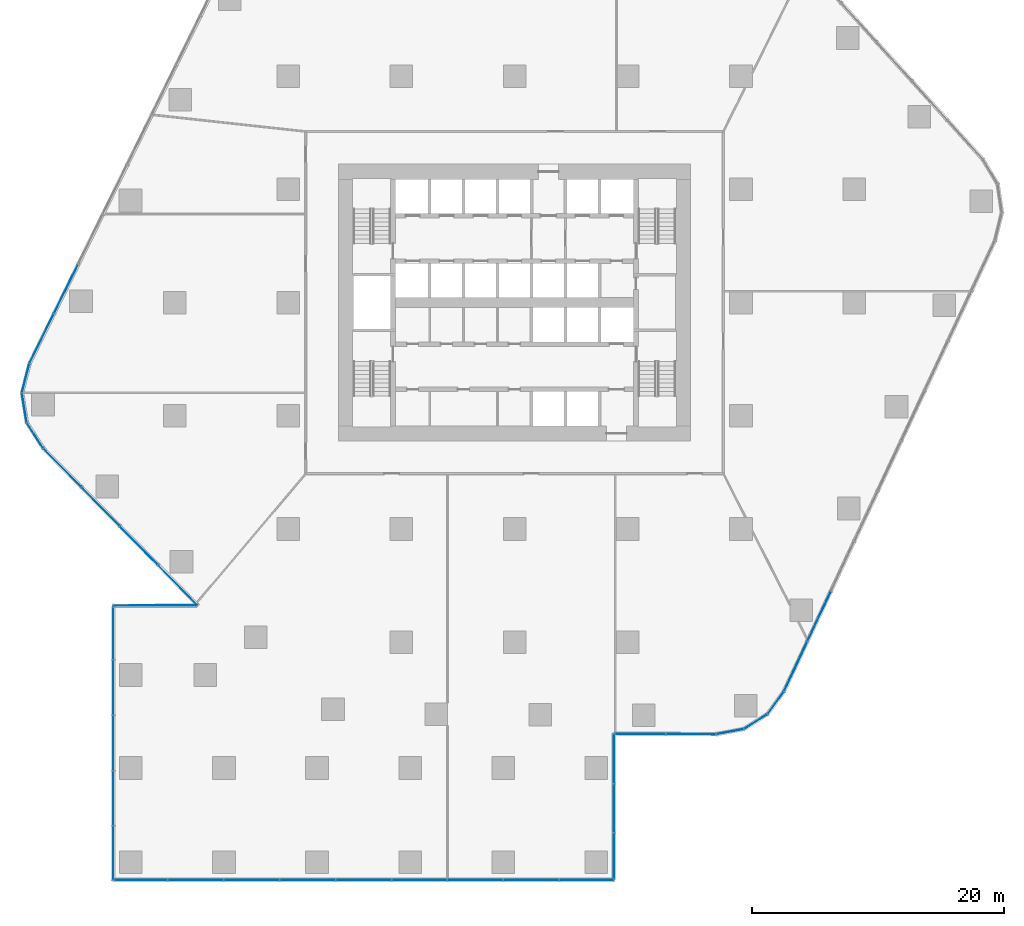
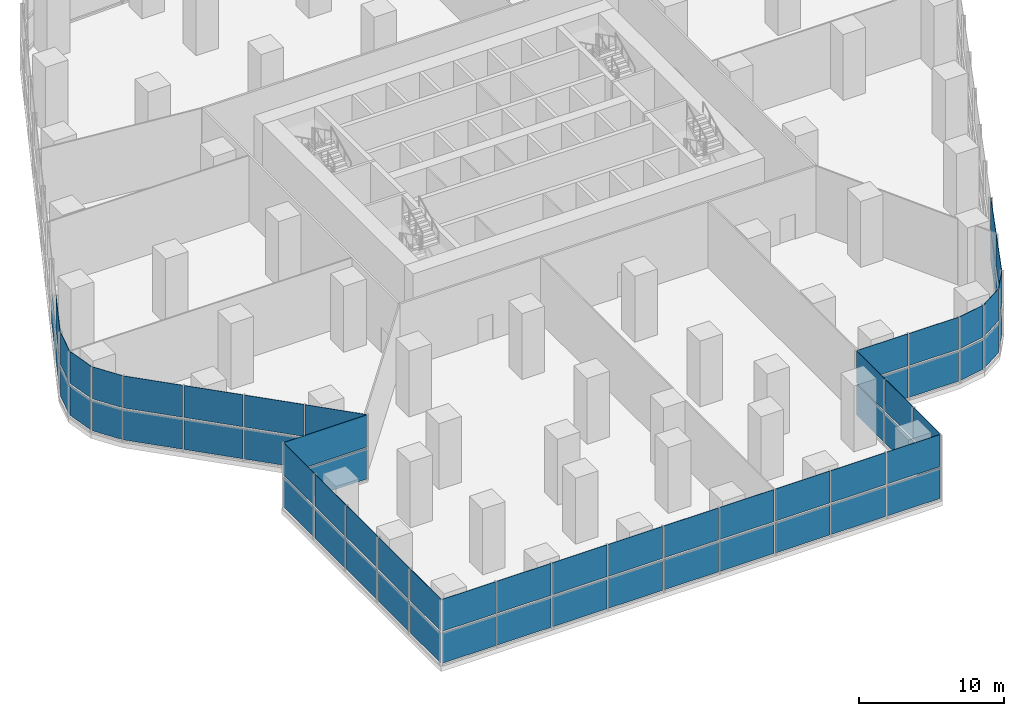
# One storey, part 8 of 15: 67 plates, 10 elements without a shape of their own.
"""IFC4 building model written with IfcOpenShell, lengths in metres."""

from ifc_helpers import new_model, si_unit, direction, frame, origin, origin_2d, place, context, subcontext, project, spatial, rectangle, extrude, material, layer, layer_set, type_object, element, aggregate, save


model = new_model("IFC4")

# Units and contexts
model_context = context("Model", 3, precision=1e-05, world=origin(), true_north=direction((0.0, 1.0)))
body_context = subcontext(model_context, "Body", "Model", "MODEL_VIEW")
ifc_project = project(units=[si_unit("LENGTHUNIT", "METRE"), si_unit("AREAUNIT", "SQUARE_METRE"), si_unit("VOLUMEUNIT", "CUBIC_METRE"), si_unit("PLANEANGLEUNIT", "RADIAN"), si_unit("MASSUNIT", "GRAM", prefix="KILO")], contexts=[model_context])

# Site, building, storey
site_placement = place(None, origin())
site = spatial("IfcSite", under=ifc_project, at=site_placement, CompositionType="ELEMENT")
building_placement = place(site_placement, origin())
building = spatial("IfcBuilding", under=site, at=building_placement, Name="Dongbaek Canopy Tower", CompositionType="ELEMENT")
storey_placement = place(building_placement, frame((0.0, 0.0, 27.0)))
storey = spatial("IfcBuildingStorey", under=building, at=storey_placement, Name="L03", CompositionType="ELEMENT", Elevation=27.0)

# Curtain wall, plates
ifc_material_1 = material(Name="Aluminium 6063-T6 pale anodised", Category="aluminium")
ifc_layer_1 = layer(ifc_material_1, 0.300048828125)
ifc_layer_set_1 = layer_set([ifc_layer_1], Name="CW-2 podium hall curtain wall")
curtain_wall_type = type_object("IfcCurtainWallType", Name="CW-2 podium hall curtain wall", PredefinedType="NOTDEFINED", material=ifc_layer_set_1)
curtain_wall_1_placement = place(storey_placement, origin())
curtain_wall_1 = element("IfcCurtainWall", 1, at=curtain_wall_1_placement, inside=storey, type_object=curtain_wall_type, Name="CW-2 curtain wall K0.1", PredefinedType="NOTDEFINED")
ifc_material_2 = material(Name="Clear laminated glass", Category="glass")
ifc_layer_2 = layer(ifc_material_2, 0.035888671875)
ifc_layer_set_2 = layer_set([ifc_layer_2], Name="CW-2 glazed panel 36")
plate_type = type_object("IfcPlateType", Name="CW-2 glazed panel 36", PredefinedType="CURTAIN_PANEL", material=ifc_layer_set_2)
plate_1_placement = place(storey_placement, frame((17.1337890625, -34.110595703125, 0.16015625), z_axis=(0.0, 0.0, 1.0), x_axis=(0.98292174659, 0.184024020391, 0.0)))
plate_1 = element("IfcPlate", 2, at=plate_1_placement, type_object=plate_type, Name="CW-2 panel K0.1.1.1", PredefinedType="CURTAIN_PANEL", context=body_context, shape_type="SweptSolid", body=[
    extrude(rectangle(XDim=2.128173828125, YDim=0.035888671875, at=origin_2d()), origin(), (0.0, 0.0, 1.0), 2.534912109375),
])
plate_2_placement = place(storey_placement, frame((17.1337890625, -34.110595703125, 2.85498046875), z_axis=(0.0, 0.0, 1.0), x_axis=(0.98292174659, 0.184024020391, 0.0)))
plate_2 = element("IfcPlate", 3, at=plate_2_placement, type_object=plate_type, Name="CW-2 panel K0.1.1.2", PredefinedType="CURTAIN_PANEL", context=body_context, shape_type="SweptSolid", body=[
    extrude(rectangle(XDim=2.128173828125, YDim=0.035888671875, at=origin_2d()), origin(), (0.0, 0.0, 1.0), 2.695068359375),
])
plate_3_placement = place(storey_placement, frame((19.169921875, -33.31103515625, 0.16015625), z_axis=(0.0, 0.0, 1.0), x_axis=(0.845033442045, 0.534713457681, 0.0)))
plate_3 = element("IfcPlate", 4, at=plate_3_placement, type_object=plate_type, Name="CW-2 panel K0.1.2.1", PredefinedType="CURTAIN_PANEL", context=body_context, shape_type="SweptSolid", body=[
    extrude(rectangle(XDim=2.11865234375, YDim=0.035888671875, at=origin_2d()), origin(), (0.0, 0.0, 1.0), 2.534912109375),
])
plate_4_placement = place(storey_placement, frame((19.169921875, -33.31103515625, 2.85498046875), z_axis=(0.0, 0.0, 1.0), x_axis=(0.845033442045, 0.534713457681, 0.0)))
plate_4 = element("IfcPlate", 5, at=plate_4_placement, type_object=plate_type, Name="CW-2 panel K0.1.2.2", PredefinedType="CURTAIN_PANEL", context=body_context, shape_type="SweptSolid", body=[
    extrude(rectangle(XDim=2.11865234375, YDim=0.035888671875, at=origin_2d()), origin(), (0.0, 0.0, 1.0), 2.695068359375),
])
plate_5_placement = place(storey_placement, frame((20.764404296875, -31.813232421875, 0.16015625), z_axis=(0.0, 0.0, 1.0), x_axis=(0.587153663418, 0.809475494092, 0.0)))
plate_5 = element("IfcPlate", 6, at=plate_5_placement, type_object=plate_type, Name="CW-2 panel K0.1.3.1", PredefinedType="CURTAIN_PANEL", context=body_context, shape_type="SweptSolid", body=[
    extrude(rectangle(XDim=2.128173828125, YDim=0.035888671875, at=origin_2d()), origin(), (0.0, 0.0, 1.0), 2.534912109375),
])
plate_6_placement = place(storey_placement, frame((20.764404296875, -31.813232421875, 2.85498046875), z_axis=(0.0, 0.0, 1.0), x_axis=(0.587153663418, 0.809475494092, 0.0)))
plate_6 = element("IfcPlate", 7, at=plate_6_placement, type_object=plate_type, Name="CW-2 panel K0.1.3.2", PredefinedType="CURTAIN_PANEL", context=body_context, shape_type="SweptSolid", body=[
    extrude(rectangle(XDim=2.128173828125, YDim=0.035888671875, at=origin_2d()), origin(), (0.0, 0.0, 1.0), 2.695068359375),
])
aggregate(curtain_wall_1, [plate_1, plate_2, plate_3, plate_4, plate_5, plate_6])

curtain_wall_2_placement = place(storey_placement, origin())
curtain_wall_2 = element("IfcCurtainWall", 8, at=curtain_wall_2_placement, inside=storey, type_object=curtain_wall_type, Name="CW-2 curtain wall F0.1", PredefinedType="NOTDEFINED")
plate_7_placement = place(storey_placement, frame((22.350341796875, -28.922607421875, 0.16015625), z_axis=(0.0, 0.0, 1.0), x_axis=(0.424122871275, 0.905604654395, 0.0)))
plate_7 = element("IfcPlate", 9, at=plate_7_placement, type_object=plate_type, Name="CW-2 panel F0.1.1.1", PredefinedType="CURTAIN_PANEL", context=body_context, shape_type="SweptSolid", body=[
    extrude(rectangle(XDim=4.28466796875, YDim=0.035888671875, at=origin_2d()), origin(), (0.0, 0.0, 1.0), 2.534912109375),
])
plate_8_placement = place(storey_placement, frame((22.350341796875, -28.922607421875, 2.85498046875), z_axis=(0.0, 0.0, 1.0), x_axis=(0.424122871275, 0.905604654395, 0.0)))
plate_8 = element("IfcPlate", 10, at=plate_8_placement, type_object=plate_type, Name="CW-2 panel F0.1.1.2", PredefinedType="CURTAIN_PANEL", context=body_context, shape_type="SweptSolid", body=[
    extrude(rectangle(XDim=4.28466796875, YDim=0.035888671875, at=origin_2d()), origin(), (0.0, 0.0, 1.0), 2.695068359375),
])
plate_9_placement = place(storey_placement, frame((24.213623046875, -24.944091796875, 0.16015625), z_axis=(0.0, 0.0, 1.0), x_axis=(0.424122871275, 0.905604654395, 0.0)))
plate_9 = element("IfcPlate", 11, at=plate_9_placement, type_object=plate_type, Name="CW-2 panel F0.1.2.1", PredefinedType="CURTAIN_PANEL", context=body_context, shape_type="SweptSolid", body=[
    extrude(rectangle(XDim=4.2939453125, YDim=0.035888671875, at=origin_2d()), origin(), (0.0, 0.0, 1.0), 2.534912109375),
])
plate_10_placement = place(storey_placement, frame((24.213623046875, -24.944091796875, 2.85498046875), z_axis=(0.0, 0.0, 1.0), x_axis=(0.424122871275, 0.905604654395, 0.0)))
plate_10 = element("IfcPlate", 12, at=plate_10_placement, type_object=plate_type, Name="CW-2 panel F0.1.2.2", PredefinedType="CURTAIN_PANEL", context=body_context, shape_type="SweptSolid", body=[
    extrude(rectangle(XDim=4.2939453125, YDim=0.035888671875, at=origin_2d()), origin(), (0.0, 0.0, 1.0), 2.695068359375),
])
aggregate(curtain_wall_2, [plate_7, plate_8, plate_9, plate_10])

curtain_wall_3_placement = place(storey_placement, origin())
curtain_wall_3 = element("IfcCurtainWall", 13, at=curtain_wall_3_placement, inside=storey, type_object=curtain_wall_type, Name="CW-2 curtain wall F3.1", PredefinedType="NOTDEFINED")
plate_11_placement = place(storey_placement, frame((-35.65185546875, 1.084716796875, 0.16015625), z_axis=(0.0, 0.0, 1.0), x_axis=(-0.441341613378, -0.897339166815, 0.0)))
plate_11 = element("IfcPlate", 14, at=plate_11_placement, type_object=plate_type, Name="CW-2 panel F3.1.8.1", PredefinedType="CURTAIN_PANEL", context=body_context, shape_type="SweptSolid", body=[
    extrude(rectangle(XDim=4.29541015625, YDim=0.035888671875, at=origin_2d()), origin(), (0.0, 0.0, 1.0), 2.534912109375),
])
plate_12_placement = place(storey_placement, frame((-37.59130859375, -2.8583984375, 0.16015625), z_axis=(0.0, 0.0, 1.0), x_axis=(-0.441341613378, -0.897339166815, 0.0)))
plate_12 = element("IfcPlate", 15, at=plate_12_placement, type_object=plate_type, Name="CW-2 panel F3.1.9.1", PredefinedType="CURTAIN_PANEL", context=body_context, shape_type="SweptSolid", body=[
    extrude(rectangle(XDim=4.28515625, YDim=0.035888671875, at=origin_2d()), origin(), (0.0, 0.0, 1.0), 2.534912109375),
])
plate_13_placement = place(storey_placement, frame((-37.59130859375, -2.8583984375, 2.85498046875), z_axis=(0.0, 0.0, 1.0), x_axis=(-0.441341613378, -0.897339166815, 0.0)))
plate_13 = element("IfcPlate", 16, at=plate_13_placement, type_object=plate_type, Name="CW-2 panel F3.1.9.2", PredefinedType="CURTAIN_PANEL", context=body_context, shape_type="SweptSolid", body=[
    extrude(rectangle(XDim=4.28515625, YDim=0.035888671875, at=origin_2d()), origin(), (0.0, 0.0, 1.0), 2.695068359375),
])
aggregate(curtain_wall_3, [plate_11, plate_12, plate_13])

curtain_wall_4_placement = place(storey_placement, origin())
curtain_wall_4 = element("IfcCurtainWall", 17, at=curtain_wall_4_placement, inside=storey, type_object=curtain_wall_type, Name="CW-2 curtain wall K4.1", PredefinedType="NOTDEFINED")
plate_14_placement = place(storey_placement, frame((-38.86083984375, -6.000244140625, 0.16015625), z_axis=(0.0, 0.0, 1.0), x_axis=(-0.248641038295, -0.968595702074, 0.0)))
plate_14 = element("IfcPlate", 18, at=plate_14_placement, type_object=plate_type, Name="CW-2 panel K4.1.1.1", PredefinedType="CURTAIN_PANEL", context=body_context, shape_type="SweptSolid", body=[
    extrude(rectangle(XDim=2.317138671875, YDim=0.035888671875, at=origin_2d()), origin(), (0.0, 0.0, 1.0), 2.534912109375),
])
plate_15_placement = place(storey_placement, frame((-38.86083984375, -6.000244140625, 2.85498046875), z_axis=(0.0, 0.0, 1.0), x_axis=(-0.248641038295, -0.968595702074, 0.0)))
plate_15 = element("IfcPlate", 19, at=plate_15_placement, type_object=plate_type, Name="CW-2 panel K4.1.1.2", PredefinedType="CURTAIN_PANEL", context=body_context, shape_type="SweptSolid", body=[
    extrude(rectangle(XDim=2.317138671875, YDim=0.035888671875, at=origin_2d()), origin(), (0.0, 0.0, 1.0), 2.695068359375),
])
plate_16_placement = place(storey_placement, frame((-38.969482421875, -8.36279296875, 0.16015625), z_axis=(0.0, 0.0, 1.0), x_axis=(0.159670565069, -0.987170355435, 0.0)))
plate_16 = element("IfcPlate", 20, at=plate_16_placement, type_object=plate_type, Name="CW-2 panel K4.1.2.1", PredefinedType="CURTAIN_PANEL", context=body_context, shape_type="SweptSolid", body=[
    extrude(rectangle(XDim=2.306640625, YDim=0.035888671875, at=origin_2d()), origin(), (0.0, 0.0, 1.0), 2.534912109375),
])
plate_17_placement = place(storey_placement, frame((-38.969482421875, -8.36279296875, 2.85498046875), z_axis=(0.0, 0.0, 1.0), x_axis=(0.159670565069, -0.987170355435, 0.0)))
plate_17 = element("IfcPlate", 21, at=plate_17_placement, type_object=plate_type, Name="CW-2 panel K4.1.2.2", PredefinedType="CURTAIN_PANEL", context=body_context, shape_type="SweptSolid", body=[
    extrude(rectangle(XDim=2.306640625, YDim=0.035888671875, at=origin_2d()), origin(), (0.0, 0.0, 1.0), 2.695068359375),
])
plate_18_placement = place(storey_placement, frame((-38.12158203125, -10.570556640625, 0.16015625), z_axis=(0.0, 0.0, 1.0), x_axis=(0.541305923405, -0.840825723493, 0.0)))
plate_18 = element("IfcPlate", 22, at=plate_18_placement, type_object=plate_type, Name="CW-2 panel K4.1.3.1", PredefinedType="CURTAIN_PANEL", context=body_context, shape_type="SweptSolid", body=[
    extrude(rectangle(XDim=2.317138671875, YDim=0.035888671875, at=origin_2d()), origin(), (0.0, 0.0, 1.0), 2.534912109375),
])
plate_19_placement = place(storey_placement, frame((-38.12158203125, -10.570556640625, 2.85498046875), z_axis=(0.0, 0.0, 1.0), x_axis=(0.541305923405, -0.840825723493, 0.0)))
plate_19 = element("IfcPlate", 23, at=plate_19_placement, type_object=plate_type, Name="CW-2 panel K4.1.3.2", PredefinedType="CURTAIN_PANEL", context=body_context, shape_type="SweptSolid", body=[
    extrude(rectangle(XDim=2.317138671875, YDim=0.035888671875, at=origin_2d()), origin(), (0.0, 0.0, 1.0), 2.695068359375),
])
aggregate(curtain_wall_4, [plate_14, plate_15, plate_16, plate_17, plate_18, plate_19])

curtain_wall_5_placement = place(storey_placement, origin())
curtain_wall_5 = element("IfcCurtainWall", 24, at=curtain_wall_5_placement, inside=storey, type_object=curtain_wall_type, Name="CW-2 curtain wall F4.1", PredefinedType="NOTDEFINED")
plate_20_placement = place(storey_placement, frame((-35.94970703125, -13.12841796875, 0.16015625), z_axis=(0.0, 0.0, 1.0), x_axis=(0.70171827376, -0.71245453488, 0.0)))
plate_20 = element("IfcPlate", 25, at=plate_20_placement, type_object=plate_type, Name="CW-2 panel F4.1.1.1", PredefinedType="CURTAIN_PANEL", context=body_context, shape_type="SweptSolid", body=[
    extrude(rectangle(XDim=4.21875, YDim=0.035888671875, at=origin_2d()), origin(), (0.0, 0.0, 1.0), 2.534912109375),
])
plate_21_placement = place(storey_placement, frame((-35.94970703125, -13.12841796875, 2.85498046875), z_axis=(0.0, 0.0, 1.0), x_axis=(0.70171827376, -0.71245453488, 0.0)))
plate_21 = element("IfcPlate", 26, at=plate_21_placement, type_object=plate_type, Name="CW-2 panel F4.1.1.2", PredefinedType="CURTAIN_PANEL", context=body_context, shape_type="SweptSolid", body=[
    extrude(rectangle(XDim=4.21875, YDim=0.035888671875, at=origin_2d()), origin(), (0.0, 0.0, 1.0), 2.695068359375),
])
plate_22_placement = place(storey_placement, frame((-32.91259765625, -16.2119140625, 0.16015625), z_axis=(0.0, 0.0, 1.0), x_axis=(0.70171827376, -0.71245453488, 0.0)))
plate_22 = element("IfcPlate", 27, at=plate_22_placement, type_object=plate_type, Name="CW-2 panel F4.1.2.1", PredefinedType="CURTAIN_PANEL", context=body_context, shape_type="SweptSolid", body=[
    extrude(rectangle(XDim=4.229248046875, YDim=0.035888671875, at=origin_2d()), origin(), (0.0, 0.0, 1.0), 2.534912109375),
])
plate_23_placement = place(storey_placement, frame((-32.91259765625, -16.2119140625, 2.85498046875), z_axis=(0.0, 0.0, 1.0), x_axis=(0.70171827376, -0.71245453488, 0.0)))
plate_23 = element("IfcPlate", 28, at=plate_23_placement, type_object=plate_type, Name="CW-2 panel F4.1.2.2", PredefinedType="CURTAIN_PANEL", context=body_context, shape_type="SweptSolid", body=[
    extrude(rectangle(XDim=4.229248046875, YDim=0.035888671875, at=origin_2d()), origin(), (0.0, 0.0, 1.0), 2.695068359375),
])
plate_24_placement = place(storey_placement, frame((-29.871826171875, -19.299072265625, 0.16015625), z_axis=(0.0, 0.0, 1.0), x_axis=(0.70171827376, -0.71245453488, 0.0)))
plate_24 = element("IfcPlate", 29, at=plate_24_placement, type_object=plate_type, Name="CW-2 panel F4.1.3.1", PredefinedType="CURTAIN_PANEL", context=body_context, shape_type="SweptSolid", body=[
    extrude(rectangle(XDim=4.229248046875, YDim=0.035888671875, at=origin_2d()), origin(), (0.0, 0.0, 1.0), 2.534912109375),
])
plate_25_placement = place(storey_placement, frame((-29.871826171875, -19.299072265625, 2.85498046875), z_axis=(0.0, 0.0, 1.0), x_axis=(0.70171827376, -0.71245453488, 0.0)))
plate_25 = element("IfcPlate", 30, at=plate_25_placement, type_object=plate_type, Name="CW-2 panel F4.1.3.2", PredefinedType="CURTAIN_PANEL", context=body_context, shape_type="SweptSolid", body=[
    extrude(rectangle(XDim=4.229248046875, YDim=0.035888671875, at=origin_2d()), origin(), (0.0, 0.0, 1.0), 2.695068359375),
])
plate_26_placement = place(storey_placement, frame((-26.774658203125, -22.4599609375, 0.16015625), z_axis=(0.0, 0.0, 1.0), x_axis=(0.698119681165, -0.71598108269, 0.0)))
plate_26 = element("IfcPlate", 31, at=plate_26_placement, type_object=plate_type, Name="CW-2 panel F4.1.4.1", PredefinedType="CURTAIN_PANEL", context=body_context, shape_type="SweptSolid", body=[
    extrude(rectangle(XDim=4.413818359375, YDim=0.035888671875, at=origin_2d()), origin(), (0.0, 0.0, 1.0), 2.534912109375),
])
plate_27_placement = place(storey_placement, frame((-26.774658203125, -22.4599609375, 2.85498046875), z_axis=(0.0, 0.0, 1.0), x_axis=(0.698119681165, -0.71598108269, 0.0)))
plate_27 = element("IfcPlate", 32, at=plate_27_placement, type_object=plate_type, Name="CW-2 panel F4.1.4.2", PredefinedType="CURTAIN_PANEL", context=body_context, shape_type="SweptSolid", body=[
    extrude(rectangle(XDim=4.413818359375, YDim=0.035888671875, at=origin_2d()), origin(), (0.0, 0.0, 1.0), 2.695068359375),
])
aggregate(curtain_wall_5, [plate_20, plate_21, plate_22, plate_23, plate_24, plate_25, plate_26, plate_27])

curtain_wall_6_placement = place(storey_placement, origin())
curtain_wall_6 = element("IfcCurtainWall", 33, at=curtain_wall_6_placement, inside=storey, type_object=curtain_wall_type, Name="CW-2 curtain wall F5.1", PredefinedType="NOTDEFINED")
plate_28_placement = place(storey_placement, frame((-28.548828125, -24.088623046875, 0.16015625), z_axis=(0.0, 0.0, 1.0), x_axis=(-0.999994232996, -0.003396170688, 0.0)))
plate_28 = element("IfcPlate", 34, at=plate_28_placement, type_object=plate_type, Name="CW-2 panel F5.1.1.1", PredefinedType="CURTAIN_PANEL", context=body_context, shape_type="SweptSolid", body=[
    extrude(rectangle(XDim=6.598388671875, YDim=0.035888671875, at=origin_2d()), origin(), (0.0, 0.0, 1.0), 2.534912109375),
])
plate_29_placement = place(storey_placement, frame((-28.548828125, -24.088623046875, 2.85498046875), z_axis=(0.0, 0.0, 1.0), x_axis=(-0.999994232996, -0.003396170688, 0.0)))
plate_29 = element("IfcPlate", 35, at=plate_29_placement, type_object=plate_type, Name="CW-2 panel F5.1.1.2", PredefinedType="CURTAIN_PANEL", context=body_context, shape_type="SweptSolid", body=[
    extrude(rectangle(XDim=6.598388671875, YDim=0.035888671875, at=origin_2d()), origin(), (0.0, 0.0, 1.0), 2.695068359375),
])
aggregate(curtain_wall_6, [plate_28, plate_29])

curtain_wall_7_placement = place(storey_placement, origin())
curtain_wall_7 = element("IfcCurtainWall", 36, at=curtain_wall_7_placement, inside=storey, type_object=curtain_wall_type, Name="CW-2 curtain wall F6.1", PredefinedType="NOTDEFINED")
plate_30_placement = place(storey_placement, frame((-31.89990234375, -26.25, 0.16015625), z_axis=(0.0, 0.0, 1.0), x_axis=(0.0, -1.0, 0.0)))
plate_30 = element("IfcPlate", 37, at=plate_30_placement, type_object=plate_type, Name="CW-2 panel F6.1.1.1", PredefinedType="CURTAIN_PANEL", context=body_context, shape_type="SweptSolid", body=[
    extrude(rectangle(XDim=4.196044921875, YDim=0.035888671875, at=origin_2d()), origin(), (0.0, 0.0, 1.0), 2.534912109375),
])
plate_31_placement = place(storey_placement, frame((-31.89990234375, -26.25, 2.85498046875), z_axis=(0.0, 0.0, 1.0), x_axis=(0.0, -1.0, 0.0)))
plate_31 = element("IfcPlate", 38, at=plate_31_placement, type_object=plate_type, Name="CW-2 panel F6.1.1.2", PredefinedType="CURTAIN_PANEL", context=body_context, shape_type="SweptSolid", body=[
    extrude(rectangle(XDim=4.196044921875, YDim=0.035888671875, at=origin_2d()), origin(), (0.0, 0.0, 1.0), 2.695068359375),
])
plate_32_placement = place(storey_placement, frame((-31.89990234375, -30.60009765625, 0.16015625), z_axis=(0.0, 0.0, 1.0), x_axis=(0.0, -1.0, 0.0)))
plate_32 = element("IfcPlate", 39, at=plate_32_placement, type_object=plate_type, Name="CW-2 panel F6.1.2.1", PredefinedType="CURTAIN_PANEL", context=body_context, shape_type="SweptSolid", body=[
    extrude(rectangle(XDim=4.2958984375, YDim=0.035888671875, at=origin_2d()), origin(), (0.0, 0.0, 1.0), 2.534912109375),
])
plate_33_placement = place(storey_placement, frame((-31.89990234375, -30.60009765625, 2.85498046875), z_axis=(0.0, 0.0, 1.0), x_axis=(0.0, -1.0, 0.0)))
plate_33 = element("IfcPlate", 40, at=plate_33_placement, type_object=plate_type, Name="CW-2 panel F6.1.2.2", PredefinedType="CURTAIN_PANEL", context=body_context, shape_type="SweptSolid", body=[
    extrude(rectangle(XDim=4.2958984375, YDim=0.035888671875, at=origin_2d()), origin(), (0.0, 0.0, 1.0), 2.695068359375),
])
plate_34_placement = place(storey_placement, frame((-31.89990234375, -35.0, 0.16015625), z_axis=(0.0, 0.0, 1.0), x_axis=(0.0, -1.0, 0.0)))
plate_34 = element("IfcPlate", 41, at=plate_34_placement, type_object=plate_type, Name="CW-2 panel F6.1.3.1", PredefinedType="CURTAIN_PANEL", context=body_context, shape_type="SweptSolid", body=[
    extrude(rectangle(XDim=4.2958984375, YDim=0.035888671875, at=origin_2d()), origin(), (0.0, 0.0, 1.0), 2.534912109375),
])
plate_35_placement = place(storey_placement, frame((-31.89990234375, -35.0, 2.85498046875), z_axis=(0.0, 0.0, 1.0), x_axis=(0.0, -1.0, 0.0)))
plate_35 = element("IfcPlate", 42, at=plate_35_placement, type_object=plate_type, Name="CW-2 panel F6.1.3.2", PredefinedType="CURTAIN_PANEL", context=body_context, shape_type="SweptSolid", body=[
    extrude(rectangle(XDim=4.2958984375, YDim=0.035888671875, at=origin_2d()), origin(), (0.0, 0.0, 1.0), 2.695068359375),
])
plate_36_placement = place(storey_placement, frame((-31.89990234375, -39.39990234375, 0.16015625), z_axis=(0.0, 0.0, 1.0), x_axis=(0.0, -1.0, 0.0)))
plate_36 = element("IfcPlate", 43, at=plate_36_placement, type_object=plate_type, Name="CW-2 panel F6.1.4.1", PredefinedType="CURTAIN_PANEL", context=body_context, shape_type="SweptSolid", body=[
    extrude(rectangle(XDim=4.2958984375, YDim=0.035888671875, at=origin_2d()), origin(), (0.0, 0.0, 1.0), 2.534912109375),
])
plate_37_placement = place(storey_placement, frame((-31.89990234375, -39.39990234375, 2.85498046875), z_axis=(0.0, 0.0, 1.0), x_axis=(0.0, -1.0, 0.0)))
plate_37 = element("IfcPlate", 44, at=plate_37_placement, type_object=plate_type, Name="CW-2 panel F6.1.4.2", PredefinedType="CURTAIN_PANEL", context=body_context, shape_type="SweptSolid", body=[
    extrude(rectangle(XDim=4.2958984375, YDim=0.035888671875, at=origin_2d()), origin(), (0.0, 0.0, 1.0), 2.695068359375),
])
plate_38_placement = place(storey_placement, frame((-31.89990234375, -43.75, 0.16015625), z_axis=(0.0, 0.0, 1.0), x_axis=(0.0, -1.0, 0.0)))
plate_38 = element("IfcPlate", 45, at=plate_38_placement, type_object=plate_type, Name="CW-2 panel F6.1.5.1", PredefinedType="CURTAIN_PANEL", context=body_context, shape_type="SweptSolid", body=[
    extrude(rectangle(XDim=4.196044921875, YDim=0.035888671875, at=origin_2d()), origin(), (0.0, 0.0, 1.0), 2.534912109375),
])
plate_39_placement = place(storey_placement, frame((-31.89990234375, -43.75, 2.85498046875), z_axis=(0.0, 0.0, 1.0), x_axis=(0.0, -1.0, 0.0)))
plate_39 = element("IfcPlate", 46, at=plate_39_placement, type_object=plate_type, Name="CW-2 panel F6.1.5.2", PredefinedType="CURTAIN_PANEL", context=body_context, shape_type="SweptSolid", body=[
    extrude(rectangle(XDim=4.196044921875, YDim=0.035888671875, at=origin_2d()), origin(), (0.0, 0.0, 1.0), 2.695068359375),
])
aggregate(curtain_wall_7, [plate_30, plate_31, plate_32, plate_33, plate_34, plate_35, plate_36, plate_37, plate_38, plate_39])

curtain_wall_8_placement = place(storey_placement, origin())
curtain_wall_8 = element("IfcCurtainWall", 47, at=curtain_wall_8_placement, inside=storey, type_object=curtain_wall_type, Name="CW-2 curtain wall F7.1", PredefinedType="NOTDEFINED")
plate_40_placement = place(storey_placement, frame((-29.727783203125, -45.89990234375, 0.16015625), z_axis=(0.0, 0.0, 1.0), x_axis=(1.0, 0.0, 0.0)))
plate_40 = element("IfcPlate", 48, at=plate_40_placement, type_object=plate_type, Name="CW-2 panel F7.1.1.1", PredefinedType="CURTAIN_PANEL", context=body_context, shape_type="SweptSolid", body=[
    extrude(rectangle(XDim=4.240478515625, YDim=0.035888671875, at=origin_2d()), origin(), (0.0, 0.0, 1.0), 2.534912109375),
])
plate_41_placement = place(storey_placement, frame((-29.727783203125, -45.89990234375, 2.85498046875), z_axis=(0.0, 0.0, 1.0), x_axis=(1.0, 0.0, 0.0)))
plate_41 = element("IfcPlate", 49, at=plate_41_placement, type_object=plate_type, Name="CW-2 panel F7.1.1.2", PredefinedType="CURTAIN_PANEL", context=body_context, shape_type="SweptSolid", body=[
    extrude(rectangle(XDim=4.240478515625, YDim=0.035888671875, at=origin_2d()), origin(), (0.0, 0.0, 1.0), 2.695068359375),
])
plate_42_placement = place(storey_placement, frame((-25.333251953125, -45.89990234375, 0.16015625), z_axis=(0.0, 0.0, 1.0), x_axis=(1.0, 0.0, 0.0)))
plate_42 = element("IfcPlate", 50, at=plate_42_placement, type_object=plate_type, Name="CW-2 panel F7.1.2.1", PredefinedType="CURTAIN_PANEL", context=body_context, shape_type="SweptSolid", body=[
    extrude(rectangle(XDim=4.34033203125, YDim=0.035888671875, at=origin_2d()), origin(), (0.0, 0.0, 1.0), 2.534912109375),
])
plate_43_placement = place(storey_placement, frame((-25.333251953125, -45.89990234375, 2.85498046875), z_axis=(0.0, 0.0, 1.0), x_axis=(1.0, 0.0, 0.0)))
plate_43 = element("IfcPlate", 51, at=plate_43_placement, type_object=plate_type, Name="CW-2 panel F7.1.2.2", PredefinedType="CURTAIN_PANEL", context=body_context, shape_type="SweptSolid", body=[
    extrude(rectangle(XDim=4.34033203125, YDim=0.035888671875, at=origin_2d()), origin(), (0.0, 0.0, 1.0), 2.695068359375),
])
plate_44_placement = place(storey_placement, frame((-20.888916015625, -45.89990234375, 0.16015625), z_axis=(0.0, 0.0, 1.0), x_axis=(1.0, 0.0, 0.0)))
plate_44 = element("IfcPlate", 52, at=plate_44_placement, type_object=plate_type, Name="CW-2 panel F7.1.3.1", PredefinedType="CURTAIN_PANEL", context=body_context, shape_type="SweptSolid", body=[
    extrude(rectangle(XDim=4.34033203125, YDim=0.035888671875, at=origin_2d()), origin(), (0.0, 0.0, 1.0), 2.534912109375),
])
plate_45_placement = place(storey_placement, frame((-20.888916015625, -45.89990234375, 2.85498046875), z_axis=(0.0, 0.0, 1.0), x_axis=(1.0, 0.0, 0.0)))
plate_45 = element("IfcPlate", 53, at=plate_45_placement, type_object=plate_type, Name="CW-2 panel F7.1.3.2", PredefinedType="CURTAIN_PANEL", context=body_context, shape_type="SweptSolid", body=[
    extrude(rectangle(XDim=4.34033203125, YDim=0.035888671875, at=origin_2d()), origin(), (0.0, 0.0, 1.0), 2.695068359375),
])
plate_46_placement = place(storey_placement, frame((-16.4443359375, -45.89990234375, 0.16015625), z_axis=(0.0, 0.0, 1.0), x_axis=(1.0, 0.0, 0.0)))
plate_46 = element("IfcPlate", 54, at=plate_46_placement, type_object=plate_type, Name="CW-2 panel F7.1.4.1", PredefinedType="CURTAIN_PANEL", context=body_context, shape_type="SweptSolid", body=[
    extrude(rectangle(XDim=4.34033203125, YDim=0.035888671875, at=origin_2d()), origin(), (0.0, 0.0, 1.0), 2.534912109375),
])
plate_47_placement = place(storey_placement, frame((-16.4443359375, -45.89990234375, 2.85498046875), z_axis=(0.0, 0.0, 1.0), x_axis=(1.0, 0.0, 0.0)))
plate_47 = element("IfcPlate", 55, at=plate_47_placement, type_object=plate_type, Name="CW-2 panel F7.1.4.2", PredefinedType="CURTAIN_PANEL", context=body_context, shape_type="SweptSolid", body=[
    extrude(rectangle(XDim=4.34033203125, YDim=0.035888671875, at=origin_2d()), origin(), (0.0, 0.0, 1.0), 2.695068359375),
])
plate_48_placement = place(storey_placement, frame((-12.0, -45.89990234375, 0.16015625), z_axis=(0.0, 0.0, 1.0), x_axis=(1.0, 0.0, 0.0)))
plate_48 = element("IfcPlate", 56, at=plate_48_placement, type_object=plate_type, Name="CW-2 panel F7.1.5.1", PredefinedType="CURTAIN_PANEL", context=body_context, shape_type="SweptSolid", body=[
    extrude(rectangle(XDim=4.34033203125, YDim=0.035888671875, at=origin_2d()), origin(), (0.0, 0.0, 1.0), 2.534912109375),
])
plate_49_placement = place(storey_placement, frame((-12.0, -45.89990234375, 2.85498046875), z_axis=(0.0, 0.0, 1.0), x_axis=(1.0, 0.0, 0.0)))
plate_49 = element("IfcPlate", 57, at=plate_49_placement, type_object=plate_type, Name="CW-2 panel F7.1.5.2", PredefinedType="CURTAIN_PANEL", context=body_context, shape_type="SweptSolid", body=[
    extrude(rectangle(XDim=4.34033203125, YDim=0.035888671875, at=origin_2d()), origin(), (0.0, 0.0, 1.0), 2.695068359375),
])
plate_50_placement = place(storey_placement, frame((-7.5556640625, -45.89990234375, 0.16015625), z_axis=(0.0, 0.0, 1.0), x_axis=(1.0, 0.0, 0.0)))
plate_50 = element("IfcPlate", 58, at=plate_50_placement, type_object=plate_type, Name="CW-2 panel F7.1.6.1", PredefinedType="CURTAIN_PANEL", context=body_context, shape_type="SweptSolid", body=[
    extrude(rectangle(XDim=4.34033203125, YDim=0.035888671875, at=origin_2d()), origin(), (0.0, 0.0, 1.0), 2.534912109375),
])
plate_51_placement = place(storey_placement, frame((-7.5556640625, -45.89990234375, 2.85498046875), z_axis=(0.0, 0.0, 1.0), x_axis=(1.0, 0.0, 0.0)))
plate_51 = element("IfcPlate", 59, at=plate_51_placement, type_object=plate_type, Name="CW-2 panel F7.1.6.2", PredefinedType="CURTAIN_PANEL", context=body_context, shape_type="SweptSolid", body=[
    extrude(rectangle(XDim=4.34033203125, YDim=0.035888671875, at=origin_2d()), origin(), (0.0, 0.0, 1.0), 2.695068359375),
])
plate_52_placement = place(storey_placement, frame((-3.111083984375, -45.89990234375, 0.16015625), z_axis=(0.0, 0.0, 1.0), x_axis=(1.0, 0.0, 0.0)))
plate_52 = element("IfcPlate", 60, at=plate_52_placement, type_object=plate_type, Name="CW-2 panel F7.1.7.1", PredefinedType="CURTAIN_PANEL", context=body_context, shape_type="SweptSolid", body=[
    extrude(rectangle(XDim=4.34033203125, YDim=0.035888671875, at=origin_2d()), origin(), (0.0, 0.0, 1.0), 2.534912109375),
])
plate_53_placement = place(storey_placement, frame((-3.111083984375, -45.89990234375, 2.85498046875), z_axis=(0.0, 0.0, 1.0), x_axis=(1.0, 0.0, 0.0)))
plate_53 = element("IfcPlate", 61, at=plate_53_placement, type_object=plate_type, Name="CW-2 panel F7.1.7.2", PredefinedType="CURTAIN_PANEL", context=body_context, shape_type="SweptSolid", body=[
    extrude(rectangle(XDim=4.34033203125, YDim=0.035888671875, at=origin_2d()), origin(), (0.0, 0.0, 1.0), 2.695068359375),
])
plate_54_placement = place(storey_placement, frame((1.333251953125, -45.89990234375, 0.16015625), z_axis=(0.0, 0.0, 1.0), x_axis=(1.0, 0.0, 0.0)))
plate_54 = element("IfcPlate", 62, at=plate_54_placement, type_object=plate_type, Name="CW-2 panel F7.1.8.1", PredefinedType="CURTAIN_PANEL", context=body_context, shape_type="SweptSolid", body=[
    extrude(rectangle(XDim=4.34033203125, YDim=0.035888671875, at=origin_2d()), origin(), (0.0, 0.0, 1.0), 2.534912109375),
])
plate_55_placement = place(storey_placement, frame((1.333251953125, -45.89990234375, 2.85498046875), z_axis=(0.0, 0.0, 1.0), x_axis=(1.0, 0.0, 0.0)))
plate_55 = element("IfcPlate", 63, at=plate_55_placement, type_object=plate_type, Name="CW-2 panel F7.1.8.2", PredefinedType="CURTAIN_PANEL", context=body_context, shape_type="SweptSolid", body=[
    extrude(rectangle(XDim=4.34033203125, YDim=0.035888671875, at=origin_2d()), origin(), (0.0, 0.0, 1.0), 2.695068359375),
])
plate_56_placement = place(storey_placement, frame((5.727783203125, -45.89990234375, 0.16015625), z_axis=(0.0, 0.0, 1.0), x_axis=(1.0, 0.0, 0.0)))
plate_56 = element("IfcPlate", 64, at=plate_56_placement, type_object=plate_type, Name="CW-2 panel F7.1.9.1", PredefinedType="CURTAIN_PANEL", context=body_context, shape_type="SweptSolid", body=[
    extrude(rectangle(XDim=4.240478515625, YDim=0.035888671875, at=origin_2d()), origin(), (0.0, 0.0, 1.0), 2.534912109375),
])
plate_57_placement = place(storey_placement, frame((5.727783203125, -45.89990234375, 2.85498046875), z_axis=(0.0, 0.0, 1.0), x_axis=(1.0, 0.0, 0.0)))
plate_57 = element("IfcPlate", 65, at=plate_57_placement, type_object=plate_type, Name="CW-2 panel F7.1.9.2", PredefinedType="CURTAIN_PANEL", context=body_context, shape_type="SweptSolid", body=[
    extrude(rectangle(XDim=4.240478515625, YDim=0.035888671875, at=origin_2d()), origin(), (0.0, 0.0, 1.0), 2.695068359375),
])
aggregate(curtain_wall_8, [plate_40, plate_41, plate_42, plate_43, plate_44, plate_45, plate_46, plate_47, plate_48, plate_49, plate_50, plate_51, plate_52, plate_53, plate_54, plate_55, plate_56, plate_57])

curtain_wall_9_placement = place(storey_placement, origin())
curtain_wall_9 = element("IfcCurtainWall", 66, at=curtain_wall_9_placement, inside=storey, type_object=curtain_wall_type, Name="CW-2 curtain wall F8.1", PredefinedType="NOTDEFINED")
plate_58_placement = place(storey_placement, frame((7.89990234375, -44.013427734375, 0.16015625), z_axis=(0.0, 0.0, 1.0), x_axis=(0.0, 1.0, 0.0)))
plate_58 = element("IfcPlate", 67, at=plate_58_placement, type_object=plate_type, Name="CW-2 panel F8.1.1.1", PredefinedType="CURTAIN_PANEL", context=body_context, shape_type="SweptSolid", body=[
    extrude(rectangle(XDim=3.669189453125, YDim=0.035888671875, at=origin_2d()), origin(), (0.0, 0.0, 1.0), 2.534912109375),
])
plate_59_placement = place(storey_placement, frame((7.89990234375, -44.013427734375, 2.85498046875), z_axis=(0.0, 0.0, 1.0), x_axis=(0.0, 1.0, 0.0)))
plate_59 = element("IfcPlate", 68, at=plate_59_placement, type_object=plate_type, Name="CW-2 panel F8.1.1.2", PredefinedType="CURTAIN_PANEL", context=body_context, shape_type="SweptSolid", body=[
    extrude(rectangle(XDim=3.669189453125, YDim=0.035888671875, at=origin_2d()), origin(), (0.0, 0.0, 1.0), 2.695068359375),
])
plate_60_placement = place(storey_placement, frame((7.89990234375, -40.18994140625, 0.16015625), z_axis=(0.0, 0.0, 1.0), x_axis=(0.0, 1.0, 0.0)))
plate_60 = element("IfcPlate", 69, at=plate_60_placement, type_object=plate_type, Name="CW-2 panel F8.1.2.1", PredefinedType="CURTAIN_PANEL", context=body_context, shape_type="SweptSolid", body=[
    extrude(rectangle(XDim=3.769287109375, YDim=0.035888671875, at=origin_2d()), origin(), (0.0, 0.0, 1.0), 2.534912109375),
])
plate_61_placement = place(storey_placement, frame((7.89990234375, -40.18994140625, 2.85498046875), z_axis=(0.0, 0.0, 1.0), x_axis=(0.0, 1.0, 0.0)))
plate_61 = element("IfcPlate", 70, at=plate_61_placement, type_object=plate_type, Name="CW-2 panel F8.1.2.2", PredefinedType="CURTAIN_PANEL", context=body_context, shape_type="SweptSolid", body=[
    extrude(rectangle(XDim=3.769287109375, YDim=0.035888671875, at=origin_2d()), origin(), (0.0, 0.0, 1.0), 2.695068359375),
])
plate_62_placement = place(storey_placement, frame((7.89990234375, -36.2666015625, 0.16015625), z_axis=(0.0, 0.0, 1.0), x_axis=(0.0, 1.0, 0.0)))
plate_62 = element("IfcPlate", 71, at=plate_62_placement, type_object=plate_type, Name="CW-2 panel F8.1.3.1", PredefinedType="CURTAIN_PANEL", context=body_context, shape_type="SweptSolid", body=[
    extrude(rectangle(XDim=3.86962890625, YDim=0.035888671875, at=origin_2d()), origin(), (0.0, 0.0, 1.0), 2.534912109375),
])
plate_63_placement = place(storey_placement, frame((7.89990234375, -36.2666015625, 2.85498046875), z_axis=(0.0, 0.0, 1.0), x_axis=(0.0, 1.0, 0.0)))
plate_63 = element("IfcPlate", 72, at=plate_63_placement, type_object=plate_type, Name="CW-2 panel F8.1.3.2", PredefinedType="CURTAIN_PANEL", context=body_context, shape_type="SweptSolid", body=[
    extrude(rectangle(XDim=3.86962890625, YDim=0.035888671875, at=origin_2d()), origin(), (0.0, 0.0, 1.0), 2.695068359375),
])
aggregate(curtain_wall_9, [plate_58, plate_59, plate_60, plate_61, plate_62, plate_63])

curtain_wall_10_placement = place(storey_placement, origin())
curtain_wall_10 = element("IfcCurtainWall", 73, at=curtain_wall_10_placement, inside=storey, type_object=curtain_wall_type, Name="CW-2 curtain wall F9.1", PredefinedType="NOTDEFINED")
plate_64_placement = place(storey_placement, frame((9.961669921875, -34.288818359375, 0.16015625), z_axis=(0.0, 0.0, 1.0), x_axis=(0.999990026698, -0.004466151006, 0.0)))
plate_64 = element("IfcPlate", 74, at=plate_64_placement, type_object=plate_type, Name="CW-2 panel F9.1.1.1", PredefinedType="CURTAIN_PANEL", context=body_context, shape_type="SweptSolid", body=[
    extrude(rectangle(XDim=4.019287109375, YDim=0.035888671875, at=origin_2d()), origin(), (0.0, 0.0, 1.0), 2.534912109375),
])
plate_65_placement = place(storey_placement, frame((9.961669921875, -34.288818359375, 2.85498046875), z_axis=(0.0, 0.0, 1.0), x_axis=(0.999990026698, -0.004466151006, 0.0)))
plate_65 = element("IfcPlate", 75, at=plate_65_placement, type_object=plate_type, Name="CW-2 panel F9.1.1.2", PredefinedType="CURTAIN_PANEL", context=body_context, shape_type="SweptSolid", body=[
    extrude(rectangle(XDim=4.019287109375, YDim=0.035888671875, at=origin_2d()), origin(), (0.0, 0.0, 1.0), 2.695068359375),
])
plate_66_placement = place(storey_placement, frame((14.030029296875, -34.30712890625, 0.16015625), z_axis=(0.0, 0.0, 1.0), x_axis=(0.999990026698, -0.004466151006, 0.0)))
plate_66 = element("IfcPlate", 76, at=plate_66_placement, type_object=plate_type, Name="CW-2 panel F9.1.2.1", PredefinedType="CURTAIN_PANEL", context=body_context, shape_type="SweptSolid", body=[
    extrude(rectangle(XDim=3.909423828125, YDim=0.035888671875, at=origin_2d()), origin(), (0.0, 0.0, 1.0), 2.534912109375),
])
plate_67_placement = place(storey_placement, frame((14.030029296875, -34.30712890625, 2.85498046875), z_axis=(0.0, 0.0, 1.0), x_axis=(0.999990026698, -0.004466151006, 0.0)))
plate_67 = element("IfcPlate", 77, at=plate_67_placement, type_object=plate_type, Name="CW-2 panel F9.1.2.2", PredefinedType="CURTAIN_PANEL", context=body_context, shape_type="SweptSolid", body=[
    extrude(rectangle(XDim=3.909423828125, YDim=0.035888671875, at=origin_2d()), origin(), (0.0, 0.0, 1.0), 2.695068359375),
])
aggregate(curtain_wall_10, [plate_64, plate_65, plate_66, plate_67])

save(model, "model.ifc")
